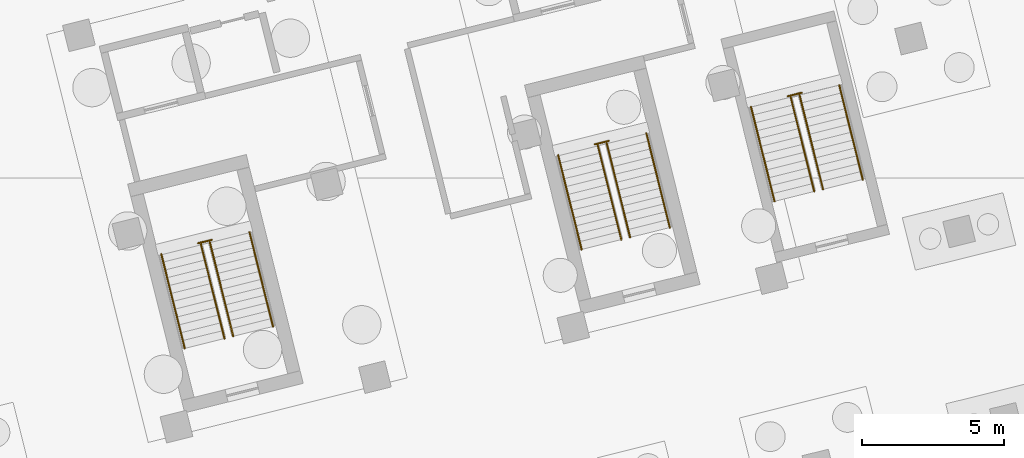
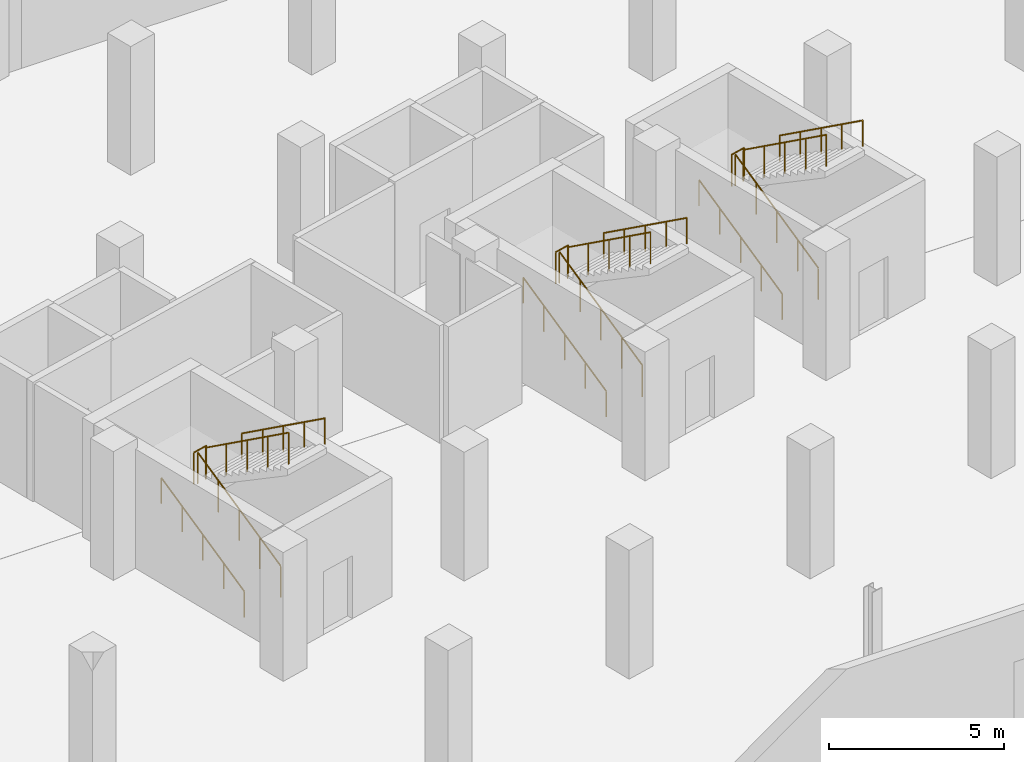
# One storey, part 28 of 29: 15 railings.
"""IFC4 building model written with IfcOpenShell, lengths in metres."""

from ifc_helpers import new_model, si_unit, direction, frame, origin, origin_2d, place, context, subcontext, project, spatial, circle, extrude, material, layer, layer_set, type_object, element, save


model = new_model("IFC4")

# Units and contexts
model_context = context("Model", 3, precision=1e-05, world=origin(), true_north=direction((0.0, 1.0)))
body_context = subcontext(model_context, "Body", "Model", "MODEL_VIEW")
ifc_project = project(units=[si_unit("LENGTHUNIT", "METRE"), si_unit("AREAUNIT", "SQUARE_METRE"), si_unit("VOLUMEUNIT", "CUBIC_METRE"), si_unit("PLANEANGLEUNIT", "RADIAN"), si_unit("MASSUNIT", "GRAM", prefix="KILO")], contexts=[model_context])

# Site, building, storey
site_placement = place(None, origin())
site = spatial("IfcSite", under=ifc_project, at=site_placement, CompositionType="ELEMENT")
building_placement = place(site_placement, origin())
building = spatial("IfcBuilding", under=site, at=building_placement, Name="Meriwether Solvik Hall", CompositionType="ELEMENT")
storey_placement = place(building_placement, frame((0.0, 0.0, -9.0)))
storey = spatial("IfcBuildingStorey", under=building, at=storey_placement, Name="B02", CompositionType="ELEMENT", Elevation=-9.0)

# Railings
ifc_material_1 = material(Name="Steel A36 Galvanised", Category="steel")
ifc_layer_1 = layer(ifc_material_1, 0.054931640625)
ifc_layer_set_1 = layer_set([ifc_layer_1], Name="Steel A36 Galvanised")
railing_type_1 = type_object("IfcRailingType", Name="RAIL-STR-GUARD", PredefinedType="GUARDRAIL", material=ifc_layer_set_1)
railing_1_placement = place(storey_placement, frame((75.090087890625, 56.092529296875, 2.25)))
element("IfcRailing", 1, at=railing_1_placement, inside=storey, type_object=railing_type_1, Name="Stair ST-01 Landing Guardrail (B02)", PredefinedType="GUARDRAIL", context=body_context, shape_type="SweptSolid", body=[
    extrude(circle(Radius=0.02392578125, at=origin_2d()), frame((0.0, 0.0, 1.09619140625), z_axis=(0.970343250308, 0.241731207299, 0.0), x_axis=(-0.241731207299, 0.970343250308, 0.0)), (0.0, 0.0, 1.0), 0.5),
    extrude(circle(Radius=0.02099609375, at=origin_2d()), origin(), (0.0, 0.0, 1.0), 1.072021484375),
    extrude(circle(Radius=0.02099609375, at=origin_2d()), frame((0.485107421875, 0.120849609375, 0.0)), (0.0, 0.0, 1.0), 1.072021484375),
])
railing_2_placement = place(storey_placement, frame((76.019287109375, 52.737548828125, 0.0)))
element("IfcRailing", 2, at=railing_2_placement, inside=storey, type_object=railing_type_1, Name="Stair ST-01 Flight 1 Inner Guardrail (B02)", PredefinedType="GUARDRAIL", context=body_context, shape_type="SweptSolid", body=[
    extrude(circle(Radius=0.02392578125, at=origin_2d()), frame((0.0, 0.0, 1.09619140625), z_axis=(-0.202112380038, 0.810596479635, 0.549621627157), x_axis=(-0.970293484379, -0.241930887181, 0.0)), (0.0, 0.0, 1.0), 4.09375),
    extrude(circle(Radius=0.02099609375, at=origin_2d()), origin(), (0.0, 0.0, 1.0), 1.072021484375),
    extrude(circle(Radius=0.02099609375, at=origin_2d()), frame((-0.206787109375, 0.82958984375, 0.5625)), (0.0, 0.0, 1.0), 1.072021484375),
    extrude(circle(Radius=0.02099609375, at=origin_2d()), frame((-0.41357421875, 1.6591796875, 1.125)), (0.0, 0.0, 1.0), 1.072021484375),
    extrude(circle(Radius=0.02099609375, at=origin_2d()), frame((-0.62060546875, 2.48876953125, 1.6875)), (0.0, 0.0, 1.0), 1.072021484375),
    extrude(circle(Radius=0.02099609375, at=origin_2d()), frame((-0.827392578125, 3.318359375, 2.25)), (0.0, 0.0, 1.0), 1.072021484375),
])
railing_3_placement = place(storey_placement, frame((75.502197265625, 56.13330078125, 2.25)))
element("IfcRailing", 3, at=railing_3_placement, inside=storey, type_object=railing_type_1, Name="Stair ST-01 Flight 2 Inner Guardrail (B02)", PredefinedType="GUARDRAIL", context=body_context, shape_type="SweptSolid", body=[
    extrude(circle(Radius=0.02392578125, at=origin_2d()), frame((0.0, 0.0, 1.09619140625), z_axis=(0.202112380038, -0.810596479635, 0.549621627157), x_axis=(0.970293484379, 0.241930887181, 0.0)), (0.0, 0.0, 1.0), 4.09375),
    extrude(circle(Radius=0.02099609375, at=origin_2d()), origin(), (0.0, 0.0, 1.0), 1.072021484375),
    extrude(circle(Radius=0.02099609375, at=origin_2d()), frame((0.206787109375, -0.82958984375, 0.5625)), (0.0, 0.0, 1.0), 1.072021484375),
    extrude(circle(Radius=0.02099609375, at=origin_2d()), frame((0.41357421875, -1.6591796875, 1.125)), (0.0, 0.0, 1.0), 1.072021484375),
    extrude(circle(Radius=0.02099609375, at=origin_2d()), frame((0.62060546875, -2.48876953125, 1.6875)), (0.0, 0.0, 1.0), 1.072021484375),
    extrude(circle(Radius=0.02099609375, at=origin_2d()), frame((0.827392578125, -3.318359375, 2.25)), (0.0, 0.0, 1.0), 1.072021484375),
])
railing_4_placement = place(storey_placement, frame((89.062255859375, 59.576171875, 2.25)))
element("IfcRailing", 4, at=railing_4_placement, inside=storey, type_object=railing_type_1, Name="Stair ST-02 Landing Guardrail (B02)", PredefinedType="GUARDRAIL", context=body_context, shape_type="SweptSolid", body=[
    extrude(circle(Radius=0.02392578125, at=origin_2d()), frame((0.0, 0.0, 1.09619140625), z_axis=(0.970343250308, 0.241731207299, 0.0), x_axis=(-0.241731207299, 0.970343250308, 0.0)), (0.0, 0.0, 1.0), 0.5),
    extrude(circle(Radius=0.02099609375, at=origin_2d()), origin(), (0.0, 0.0, 1.0), 1.072021484375),
    extrude(circle(Radius=0.02099609375, at=origin_2d()), frame((0.485107421875, 0.120849609375, 0.0)), (0.0, 0.0, 1.0), 1.072021484375),
])
railing_5_placement = place(storey_placement, frame((89.991455078125, 56.22119140625, 0.0)))
element("IfcRailing", 5, at=railing_5_placement, inside=storey, type_object=railing_type_1, Name="Stair ST-02 Flight 1 Inner Guardrail (B02)", PredefinedType="GUARDRAIL", context=body_context, shape_type="SweptSolid", body=[
    extrude(circle(Radius=0.02392578125, at=origin_2d()), frame((0.0, 0.0, 1.09619140625), z_axis=(-0.202112380038, 0.810596479635, 0.549621627157), x_axis=(-0.970293484379, -0.241930887181, 0.0)), (0.0, 0.0, 1.0), 4.09375),
    extrude(circle(Radius=0.02099609375, at=origin_2d()), origin(), (0.0, 0.0, 1.0), 1.072021484375),
    extrude(circle(Radius=0.02099609375, at=origin_2d()), frame((-0.206787109375, 0.82958984375, 0.5625)), (0.0, 0.0, 1.0), 1.072021484375),
    extrude(circle(Radius=0.02099609375, at=origin_2d()), frame((-0.41357421875, 1.6591796875, 1.125)), (0.0, 0.0, 1.0), 1.072021484375),
    extrude(circle(Radius=0.02099609375, at=origin_2d()), frame((-0.62060546875, 2.48876953125, 1.6875)), (0.0, 0.0, 1.0), 1.072021484375),
    extrude(circle(Radius=0.02099609375, at=origin_2d()), frame((-0.827392578125, 3.318359375, 2.25)), (0.0, 0.0, 1.0), 1.072021484375),
])
railing_6_placement = place(storey_placement, frame((89.474609375, 59.6171875, 2.25)))
element("IfcRailing", 6, at=railing_6_placement, inside=storey, type_object=railing_type_1, Name="Stair ST-02 Flight 2 Inner Guardrail (B02)", PredefinedType="GUARDRAIL", context=body_context, shape_type="SweptSolid", body=[
    extrude(circle(Radius=0.02392578125, at=origin_2d()), frame((0.0, 0.0, 1.09619140625), z_axis=(0.202102609838, -0.81061692993, 0.549595058209), x_axis=(0.970297662271, 0.241914130614, 0.0)), (0.0, 0.0, 1.0), 4.093994140625),
    extrude(circle(Radius=0.02099609375, at=origin_2d()), origin(), (0.0, 0.0, 1.0), 1.072021484375),
    extrude(circle(Radius=0.02099609375, at=origin_2d()), frame((0.206787109375, -0.82958984375, 0.5625)), (0.0, 0.0, 1.0), 1.072021484375),
    extrude(circle(Radius=0.02099609375, at=origin_2d()), frame((0.41357421875, -1.6591796875, 1.125)), (0.0, 0.0, 1.0), 1.072021484375),
    extrude(circle(Radius=0.02099609375, at=origin_2d()), frame((0.62060546875, -2.489013671875, 1.6875)), (0.0, 0.0, 1.0), 1.072021484375),
    extrude(circle(Radius=0.02099609375, at=origin_2d()), frame((0.827392578125, -3.318603515625, 2.25)), (0.0, 0.0, 1.0), 1.072021484375),
])
railing_7_placement = place(storey_placement, frame((95.854248046875, 61.26953125, 2.25)))
element("IfcRailing", 7, at=railing_7_placement, inside=storey, type_object=railing_type_1, Name="Stair ST-03 Landing Guardrail (B02)", PredefinedType="GUARDRAIL", context=body_context, shape_type="SweptSolid", body=[
    extrude(circle(Radius=0.02392578125, at=origin_2d()), frame((0.0, 0.0, 1.09619140625), z_axis=(0.970228607419, 0.242190935722, 0.0), x_axis=(-0.242190935722, 0.970228607419, 0.0)), (0.0, 0.0, 1.0), 0.5),
    extrude(circle(Radius=0.02099609375, at=origin_2d()), origin(), (0.0, 0.0, 1.0), 1.072021484375),
    extrude(circle(Radius=0.02099609375, at=origin_2d()), frame((0.485107421875, 0.12109375, 0.0)), (0.0, 0.0, 1.0), 1.072021484375),
])
railing_8_placement = place(storey_placement, frame((96.783447265625, 57.914794921875, 0.0)))
element("IfcRailing", 8, at=railing_8_placement, inside=storey, type_object=railing_type_1, Name="Stair ST-03 Flight 1 Inner Guardrail (B02)", PredefinedType="GUARDRAIL", context=body_context, shape_type="SweptSolid", body=[
    extrude(circle(Radius=0.02392578125, at=origin_2d()), frame((0.0, 0.0, 1.09619140625), z_axis=(-0.202112380038, 0.810596479635, 0.549621627157), x_axis=(-0.970293484379, -0.241930887181, 0.0)), (0.0, 0.0, 1.0), 4.09375),
    extrude(circle(Radius=0.02099609375, at=origin_2d()), origin(), (0.0, 0.0, 1.0), 1.072021484375),
    extrude(circle(Radius=0.02099609375, at=origin_2d()), frame((-0.206787109375, 0.82958984375, 0.5625)), (0.0, 0.0, 1.0), 1.072021484375),
    extrude(circle(Radius=0.02099609375, at=origin_2d()), frame((-0.41357421875, 1.6591796875, 1.125)), (0.0, 0.0, 1.0), 1.072021484375),
    extrude(circle(Radius=0.02099609375, at=origin_2d()), frame((-0.62060546875, 2.48876953125, 1.6875)), (0.0, 0.0, 1.0), 1.072021484375),
    extrude(circle(Radius=0.02099609375, at=origin_2d()), frame((-0.827392578125, 3.318359375, 2.25)), (0.0, 0.0, 1.0), 1.072021484375),
])
railing_9_placement = place(storey_placement, frame((96.2666015625, 61.310546875, 2.25)))
element("IfcRailing", 9, at=railing_9_placement, inside=storey, type_object=railing_type_1, Name="Stair ST-03 Flight 2 Inner Guardrail (B02)", PredefinedType="GUARDRAIL", context=body_context, shape_type="SweptSolid", body=[
    extrude(circle(Radius=0.02392578125, at=origin_2d()), frame((0.0, 0.0, 1.09619140625), z_axis=(0.202112380038, -0.810596479635, 0.549621627157), x_axis=(0.970293484379, 0.241930887181, 0.0)), (0.0, 0.0, 1.0), 4.09375),
    extrude(circle(Radius=0.02099609375, at=origin_2d()), origin(), (0.0, 0.0, 1.0), 1.072021484375),
    extrude(circle(Radius=0.02099609375, at=origin_2d()), frame((0.206787109375, -0.82958984375, 0.5625)), (0.0, 0.0, 1.0), 1.072021484375),
    extrude(circle(Radius=0.02099609375, at=origin_2d()), frame((0.41357421875, -1.6591796875, 1.125)), (0.0, 0.0, 1.0), 1.072021484375),
    extrude(circle(Radius=0.02099609375, at=origin_2d()), frame((0.62060546875, -2.48876953125, 1.6875)), (0.0, 0.0, 1.0), 1.072021484375),
    extrude(circle(Radius=0.02099609375, at=origin_2d()), frame((0.827392578125, -3.318359375, 2.25)), (0.0, 0.0, 1.0), 1.072021484375),
])
ifc_material_2 = material(Name="Stainless Steel AISI 316", Category="steel")
ifc_layer_2 = layer(ifc_material_2, 0.044921875)
ifc_layer_set_2 = layer_set([ifc_layer_2], Name="Stainless Steel AISI 316")
railing_type_2 = type_object("IfcRailingType", Name="RAIL-STR-HAND", PredefinedType="HANDRAIL", material=ifc_layer_set_2)
railing_10_placement = place(storey_placement, frame((74.6220703125, 52.38916015625, 0.0)))
element("IfcRailing", 10, at=railing_10_placement, inside=storey, type_object=railing_type_2, Name="Stair ST-01 Lower Handrail (B02)", PredefinedType="HANDRAIL", context=body_context, shape_type="SweptSolid", body=[
    extrude(circle(Radius=0.02392578125, at=origin_2d()), frame((0.0, 0.0, 0.89599609375), z_axis=(-0.202115093549, 0.810603568121, 0.54961017486), x_axis=(-0.970293218539, -0.241931953359, 0.0)), (0.0, 0.0, 1.0), 4.100830078125),
    extrude(circle(Radius=0.02099609375, at=origin_2d()), origin(), (0.0, 0.0, 1.0), 0.871826171875),
    extrude(circle(Radius=0.02099609375, at=origin_2d()), frame((-0.207275390625, 0.8310546875, 0.5634765625)), (0.0, 0.0, 1.0), 0.871826171875),
    extrude(circle(Radius=0.02099609375, at=origin_2d()), frame((-0.41455078125, 1.662109375, 1.126953125)), (0.0, 0.0, 1.0), 0.871826171875),
    extrude(circle(Radius=0.02099609375, at=origin_2d()), frame((-0.62158203125, 2.4931640625, 1.6904296875)), (0.0, 0.0, 1.0), 0.871826171875),
    extrude(circle(Radius=0.02099609375, at=origin_2d()), frame((-0.828857421875, 3.32421875, 2.25390625)), (0.0, 0.0, 1.0), 0.871826171875),
])
railing_11_placement = place(storey_placement, frame((76.8994140625, 56.481689453125, 2.25)))
element("IfcRailing", 11, at=railing_11_placement, inside=storey, type_object=railing_type_2, Name="Stair ST-01 Upper Handrail (B02)", PredefinedType="HANDRAIL", context=body_context, shape_type="SweptSolid", body=[
    extrude(circle(Radius=0.02392578125, at=origin_2d()), frame((0.0, 0.0, 0.89599609375), z_axis=(0.202115093549, -0.810603568121, 0.54961017486), x_axis=(0.970293218539, 0.241931953359, 0.0)), (0.0, 0.0, 1.0), 4.100830078125),
    extrude(circle(Radius=0.02099609375, at=origin_2d()), origin(), (0.0, 0.0, 1.0), 0.871826171875),
    extrude(circle(Radius=0.02099609375, at=origin_2d()), frame((0.207275390625, -0.8310546875, 0.5634765625)), (0.0, 0.0, 1.0), 0.871826171875),
    extrude(circle(Radius=0.02099609375, at=origin_2d()), frame((0.41455078125, -1.662109375, 1.126953125)), (0.0, 0.0, 1.0), 0.871826171875),
    extrude(circle(Radius=0.02099609375, at=origin_2d()), frame((0.62158203125, -2.4931640625, 1.6904296875)), (0.0, 0.0, 1.0), 0.871826171875),
    extrude(circle(Radius=0.02099609375, at=origin_2d()), frame((0.828857421875, -3.32421875, 2.25390625)), (0.0, 0.0, 1.0), 0.871826171875),
])
railing_12_placement = place(storey_placement, frame((88.59423828125, 55.872802734375, 0.0)))
element("IfcRailing", 12, at=railing_12_placement, inside=storey, type_object=railing_type_2, Name="Stair ST-02 Lower Handrail (B02)", PredefinedType="HANDRAIL", context=body_context, shape_type="SweptSolid", body=[
    extrude(circle(Radius=0.02392578125, at=origin_2d()), frame((0.0, 0.0, 0.89599609375), z_axis=(-0.202115093549, 0.810603568121, 0.54961017486), x_axis=(-0.970293218539, -0.241931953359, 0.0)), (0.0, 0.0, 1.0), 4.100830078125),
    extrude(circle(Radius=0.02099609375, at=origin_2d()), origin(), (0.0, 0.0, 1.0), 0.871826171875),
    extrude(circle(Radius=0.02099609375, at=origin_2d()), frame((-0.207275390625, 0.8310546875, 0.5634765625)), (0.0, 0.0, 1.0), 0.871826171875),
    extrude(circle(Radius=0.02099609375, at=origin_2d()), frame((-0.41455078125, 1.662109375, 1.126953125)), (0.0, 0.0, 1.0), 0.871826171875),
    extrude(circle(Radius=0.02099609375, at=origin_2d()), frame((-0.62158203125, 2.4931640625, 1.6904296875)), (0.0, 0.0, 1.0), 0.871826171875),
    extrude(circle(Radius=0.02099609375, at=origin_2d()), frame((-0.828857421875, 3.32421875, 2.25390625)), (0.0, 0.0, 1.0), 0.871826171875),
])
railing_13_placement = place(storey_placement, frame((90.871826171875, 59.96533203125, 2.25)))
element("IfcRailing", 13, at=railing_13_placement, inside=storey, type_object=railing_type_2, Name="Stair ST-02 Upper Handrail (B02)", PredefinedType="HANDRAIL", context=body_context, shape_type="SweptSolid", body=[
    extrude(circle(Radius=0.02392578125, at=origin_2d()), frame((0.0, 0.0, 0.89599609375), z_axis=(0.202115093549, -0.810603568121, 0.54961017486), x_axis=(0.970293218539, 0.241931953359, 0.0)), (0.0, 0.0, 1.0), 4.100830078125),
    extrude(circle(Radius=0.02099609375, at=origin_2d()), origin(), (0.0, 0.0, 1.0), 0.871826171875),
    extrude(circle(Radius=0.02099609375, at=origin_2d()), frame((0.207275390625, -0.8310546875, 0.5634765625)), (0.0, 0.0, 1.0), 0.871826171875),
    extrude(circle(Radius=0.02099609375, at=origin_2d()), frame((0.41455078125, -1.662109375, 1.126953125)), (0.0, 0.0, 1.0), 0.871826171875),
    extrude(circle(Radius=0.02099609375, at=origin_2d()), frame((0.62158203125, -2.4931640625, 1.6904296875)), (0.0, 0.0, 1.0), 0.871826171875),
    extrude(circle(Radius=0.02099609375, at=origin_2d()), frame((0.828857421875, -3.32421875, 2.25390625)), (0.0, 0.0, 1.0), 0.871826171875),
])
railing_14_placement = place(storey_placement, frame((95.38623046875, 57.56640625, 0.0)))
element("IfcRailing", 14, at=railing_14_placement, inside=storey, type_object=railing_type_2, Name="Stair ST-03 Lower Handrail (B02)", PredefinedType="HANDRAIL", context=body_context, shape_type="SweptSolid", body=[
    extrude(circle(Radius=0.02392578125, at=origin_2d()), frame((0.0, 0.0, 0.89599609375), z_axis=(-0.202115093549, 0.810603568121, 0.54961017486), x_axis=(-0.970293218539, -0.241931953359, 0.0)), (0.0, 0.0, 1.0), 4.100830078125),
    extrude(circle(Radius=0.02099609375, at=origin_2d()), origin(), (0.0, 0.0, 1.0), 0.871826171875),
    extrude(circle(Radius=0.02099609375, at=origin_2d()), frame((-0.207275390625, 0.8310546875, 0.5634765625)), (0.0, 0.0, 1.0), 0.871826171875),
    extrude(circle(Radius=0.02099609375, at=origin_2d()), frame((-0.41455078125, 1.662109375, 1.126953125)), (0.0, 0.0, 1.0), 0.871826171875),
    extrude(circle(Radius=0.02099609375, at=origin_2d()), frame((-0.62158203125, 2.4931640625, 1.6904296875)), (0.0, 0.0, 1.0), 0.871826171875),
    extrude(circle(Radius=0.02099609375, at=origin_2d()), frame((-0.828857421875, 3.32421875, 2.25390625)), (0.0, 0.0, 1.0), 0.871826171875),
])
railing_15_placement = place(storey_placement, frame((97.663818359375, 61.658935546875, 2.25)))
element("IfcRailing", 15, at=railing_15_placement, inside=storey, type_object=railing_type_2, Name="Stair ST-03 Upper Handrail (B02)", PredefinedType="HANDRAIL", context=body_context, shape_type="SweptSolid", body=[
    extrude(circle(Radius=0.02392578125, at=origin_2d()), frame((0.0, 0.0, 0.89599609375), z_axis=(0.202115093549, -0.810603568121, 0.54961017486), x_axis=(0.970293218539, 0.241931953359, 0.0)), (0.0, 0.0, 1.0), 4.100830078125),
    extrude(circle(Radius=0.02099609375, at=origin_2d()), origin(), (0.0, 0.0, 1.0), 0.871826171875),
    extrude(circle(Radius=0.02099609375, at=origin_2d()), frame((0.207275390625, -0.8310546875, 0.5634765625)), (0.0, 0.0, 1.0), 0.871826171875),
    extrude(circle(Radius=0.02099609375, at=origin_2d()), frame((0.41455078125, -1.662109375, 1.126953125)), (0.0, 0.0, 1.0), 0.871826171875),
    extrude(circle(Radius=0.02099609375, at=origin_2d()), frame((0.62158203125, -2.4931640625, 1.6904296875)), (0.0, 0.0, 1.0), 0.871826171875),
    extrude(circle(Radius=0.02099609375, at=origin_2d()), frame((0.828857421875, -3.32421875, 2.25390625)), (0.0, 0.0, 1.0), 0.871826171875),
])

save(model, "model.ifc")
